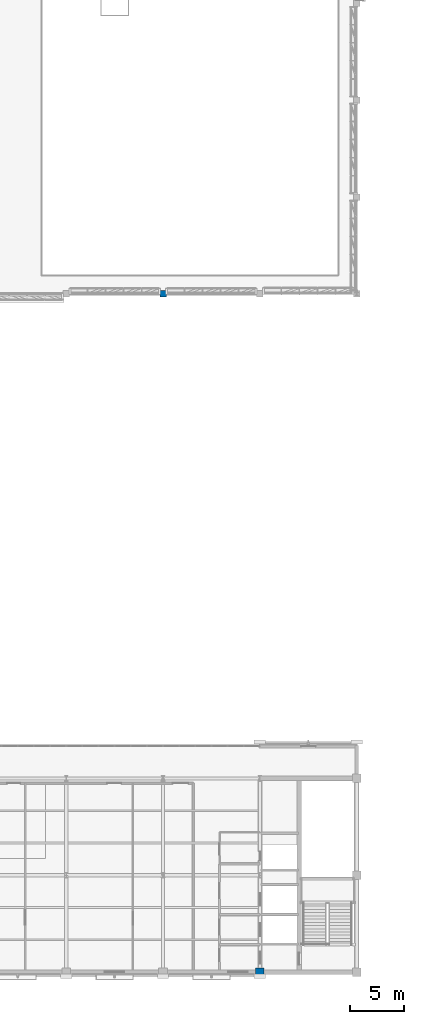
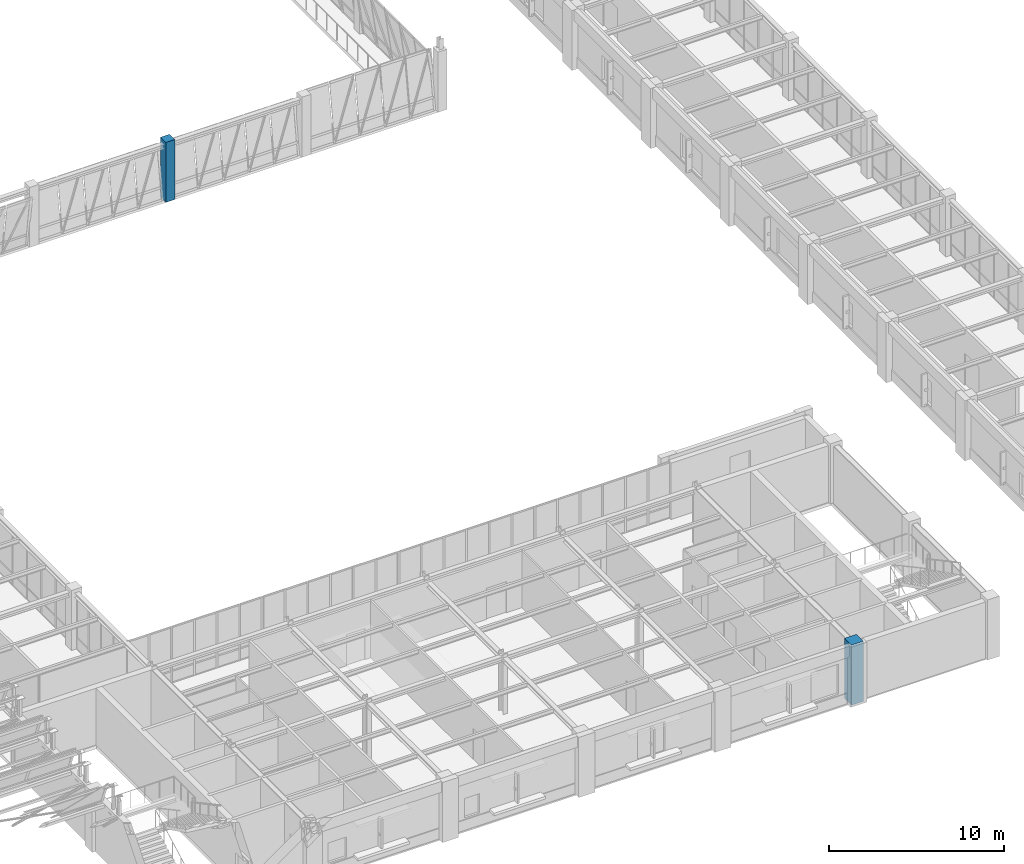
# One storey, part 4 of 108: 2 columns.
"""IFC4 building model written with IfcOpenShell, lengths in metres."""

from ifc_helpers import new_model, si_unit, direction, frame, origin, origin_2d, place, context, subcontext, project, spatial, rectangle, extrude, material, material_profile, profile_set, type_object, element, save


model = new_model("IFC4")

# Units and contexts
model_context = context("Model", 3, precision=1e-05, world=origin(), true_north=direction((0.0, 1.0)))
body_context = subcontext(model_context, "Body", "Model", "MODEL_VIEW")
ifc_project = project(units=[si_unit("LENGTHUNIT", "METRE"), si_unit("AREAUNIT", "SQUARE_METRE"), si_unit("VOLUMEUNIT", "CUBIC_METRE"), si_unit("PLANEANGLEUNIT", "RADIAN"), si_unit("MASSUNIT", "GRAM", prefix="KILO")], contexts=[model_context])

# Site, building, storey
site_placement = place(None, origin())
site = spatial("IfcSite", under=ifc_project, at=site_placement, CompositionType="ELEMENT")
building_placement = place(site_placement, origin())
building = spatial("IfcBuilding", under=site, at=building_placement, Name="Lykobir Media Centre", CompositionType="ELEMENT")
storey_placement = place(building_placement, frame((0.0, 0.0, 15.0)))
storey = spatial("IfcBuildingStorey", under=building, at=storey_placement, Name="L03", CompositionType="ELEMENT", Elevation=15.0)

# Columns
ifc_material = material(Name="Concrete C40/50", Category="concrete")
ifc_material_profile_1 = material_profile(ifc_material, rectangle(XDim=0.60009765625, YDim=0.60009765625, at=origin_2d()), Name="RC 600x600")
ifc_profile_set_1 = profile_set([ifc_material_profile_1], Name="Concrete C40/50")
column_type_1 = type_object("IfcColumnType", Name="RC-C600", PredefinedType="COLUMN", material=ifc_profile_set_1)
column_1_placement = place(storey_placement, frame((63.0, 63.0, 0.0), z_axis=(0.0, 0.0, 1.0), x_axis=(1.0, 0.0, 0.0)))
element("IfcColumn", 1, at=column_1_placement, inside=storey, type_object=column_type_1, Name="Column COL-L03-0630-0630", PredefinedType="COLUMN", context=body_context, shape_type="SweptSolid", body=[
    extrude(rectangle(XDim=0.60009765625, YDim=0.60009765625, at=origin_2d()), origin(), (0.0, 0.0, 1.0), 4.199951171875),
])
ifc_material_profile_2 = material_profile(ifc_material, rectangle(XDim=0.800048828125, YDim=0.800048828125, at=origin_2d()), Name="RC 800x800")
ifc_profile_set_2 = profile_set([ifc_material_profile_2], Name="Concrete C40/50")
column_type_2 = type_object("IfcColumnType", Name="RC-C800-E", PredefinedType="COLUMN", material=ifc_profile_set_2)
column_2_placement = place(storey_placement, frame((72.0, 0.0, 0.0), z_axis=(0.0, 0.0, 1.0), x_axis=(1.0, 0.0, 0.0)))
element("IfcColumn", 2, at=column_2_placement, inside=storey, type_object=column_type_2, Name="Column COL-L03-0720-0000", PredefinedType="COLUMN", context=body_context, shape_type="SweptSolid", body=[
    extrude(rectangle(XDim=0.800048828125, YDim=0.800048828125, at=origin_2d()), origin(), (0.0, 0.0, 1.0), 4.199951171875),
])

save(model, "model.ifc")
